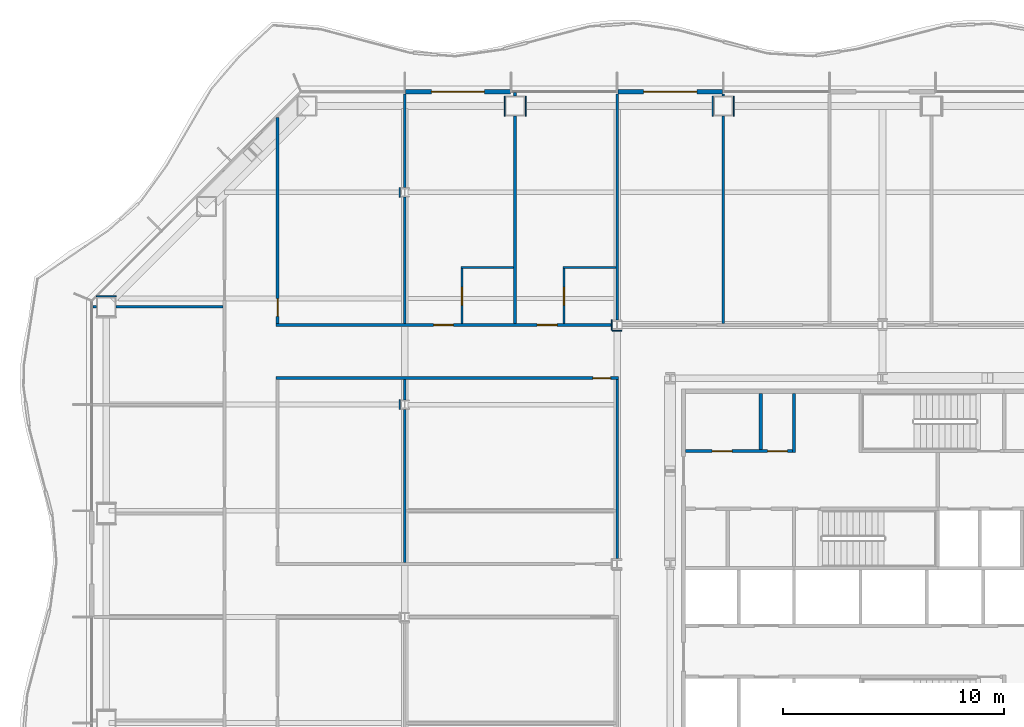
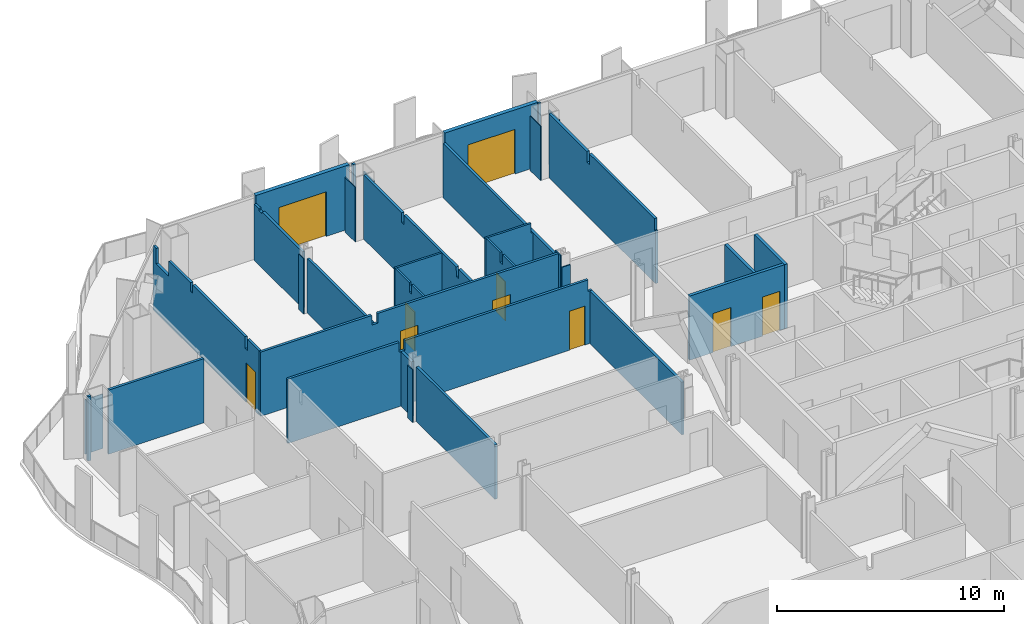
# One storey, part 12 of 21: 33 walls, 10 doors, 10 openings.
"""IFC4 building model written with IfcOpenShell, lengths in metres."""

from ifc_helpers import new_model, si_unit, direction, frame, frame_2d, origin, place, context, subcontext, project, spatial, polyline, rectangle, outline, extrude, material, layer, layer_set, type_object, element, fill, save


model = new_model("IFC4")

# Units and contexts
model_context = context("Model", 3, precision=1e-05, world=origin(), true_north=direction((0.0, 1.0)))
body_context = subcontext(model_context, "Body", "Model", "MODEL_VIEW")
ifc_project = project(units=[si_unit("LENGTHUNIT", "METRE"), si_unit("AREAUNIT", "SQUARE_METRE"), si_unit("VOLUMEUNIT", "CUBIC_METRE"), si_unit("PLANEANGLEUNIT", "RADIAN"), si_unit("MASSUNIT", "GRAM", prefix="KILO")], contexts=[model_context])

# Site, building, storey
site_placement = place(None, origin())
site = spatial("IfcSite", under=ifc_project, at=site_placement, CompositionType="ELEMENT")
building_placement = place(site_placement, origin())
building = spatial("IfcBuilding", under=site, at=building_placement, Name="Cairn Pilgrim Tower", CompositionType="ELEMENT")
storey_placement = place(building_placement, frame((0.0, 0.0, 69.0)))
storey = spatial("IfcBuildingStorey", under=building, at=storey_placement, Name="L15", CompositionType="ELEMENT", Elevation=69.0)

# Wall, opening, door
ifc_material_1 = material(Name="Bronze anodised aluminium insulated sandwich panel with mineral wool fill", Category="aluminium")
ifc_layer_1 = layer(ifc_material_1, 0.199951171875)
ifc_layer_set_1 = layer_set([ifc_layer_1], Name="BRONZE INFILL FRAME WALL 200")
wall_type_1 = type_object("IfcWallType", Name="BRONZE INFILL FRAME WALL 200", PredefinedType="NOTDEFINED", material=ifc_layer_set_1)
wall_1_placement = place(storey_placement, frame((-0.030029296875, 23.75, 0.0), z_axis=(0.0, 0.0, 1.0), x_axis=(-1.0, 0.0, 0.0)))
wall_1 = element("IfcWall", 1, at=wall_1_placement, inside=storey, type_object=wall_type_1, Name="Bronze infill frame wall IW-N5", PredefinedType="NOTDEFINED", context=body_context, shape_type="SweptSolid", body=[
    extrude(rectangle(XDim=4.739990234375, YDim=0.199951171875, at=frame_2d((2.3701171875, 0.0))), origin(), (0.0, 0.0, 1.0), 3.449951171875),
])
opening_1_placement = place(wall_1_placement, frame((1.169921875, 0.0, 0.0)))
opening_1 = element("IfcOpeningElement", 2, at=opening_1_placement, cuts=wall_1, Name="Opening 1518B", PredefinedType="OPENING", context=body_context, shape_type="SweptSolid", body=[
    extrude(rectangle(XDim=2.39990234375, YDim=2.39990234375, at=frame_2d((1.199951171875, 1.199951171875))), frame((0.0, 0.10986328125, 0.0), z_axis=(0.0, -1.0, 0.0), x_axis=(1.0, 0.0, 0.0)), (0.0, 0.0, 1.0), 0.219970703125),
])
ifc_material_2 = material(Name="Bronze anodised aluminium frame with tinted low-E glass", Category="aluminium")
door_type_1 = type_object("IfcDoorType", Name="BALCONY SLIDING DOOR 2400x2400", OperationType="DOUBLE_DOOR_SLIDING", PredefinedType="DOOR", material=ifc_material_2)
door_1_placement = place(opening_1_placement, origin())
door_1 = element("IfcDoor", 3, at=door_1_placement, inside=storey, type_object=door_type_1, Name="Balcony sliding door 1518B", OperationType="SINGLE_SWING_LEFT", OverallHeight=2.39990234375, OverallWidth=2.39990234375, PredefinedType="DOOR", context=body_context, shape_type="SweptSolid", body=[
    extrude(rectangle(XDim=2.39990234375, YDim=2.39990234375, at=frame_2d((1.199951171875, 1.199951171875))), frame((0.0, 0.02490234375, 0.0), z_axis=(0.0, -1.0, 0.0), x_axis=(1.0, 0.0, 0.0)), (0.0, 0.0, 1.0), 0.050048828125),
])
fill(opening_1, door_1)

wall_2_placement = place(storey_placement, frame((-9.6298828125, 23.75, 0.0), z_axis=(0.0, 0.0, 1.0), x_axis=(-1.0, 0.0, 0.0)))
wall_2 = element("IfcWall", 4, at=wall_2_placement, inside=storey, type_object=wall_type_1, Name="Bronze infill frame wall IW-N7", PredefinedType="NOTDEFINED", context=body_context, shape_type="SweptSolid", body=[
    extrude(rectangle(XDim=4.740234375, YDim=0.199951171875, at=frame_2d((2.3701171875, 0.0))), origin(), (0.0, 0.0, 1.0), 3.449951171875),
])
opening_2_placement = place(wall_2_placement, frame((1.169921875, 0.0, 0.0)))
opening_2 = element("IfcOpeningElement", 5, at=opening_2_placement, cuts=wall_2, Name="Opening 1516B", PredefinedType="OPENING", context=body_context, shape_type="SweptSolid", body=[
    extrude(rectangle(XDim=2.39990234375, YDim=2.39990234375, at=frame_2d((1.199951171875, 1.199951171875))), frame((0.0, 0.10986328125, 0.0), z_axis=(0.0, -1.0, 0.0), x_axis=(1.0, 0.0, 0.0)), (0.0, 0.0, 1.0), 0.219970703125),
])
door_2_placement = place(opening_2_placement, origin())
door_2 = element("IfcDoor", 6, at=door_2_placement, inside=storey, type_object=door_type_1, Name="Balcony sliding door 1516B", OperationType="SINGLE_SWING_LEFT", OverallHeight=2.39990234375, OverallWidth=2.39990234375, PredefinedType="DOOR", context=body_context, shape_type="SweptSolid", body=[
    extrude(rectangle(XDim=2.39990234375, YDim=2.39990234375, at=frame_2d((1.199951171875, 1.199951171875))), frame((0.0, 0.02490234375, 0.0), z_axis=(0.0, -1.0, 0.0), x_axis=(1.0, 0.0, 0.0)), (0.0, 0.0, 1.0), 0.050048828125),
])
fill(opening_2, door_2)

# Wall, openings, doors
ifc_material_3 = material(Name="Concrete C32/40", Category="concrete")
ifc_layer_2 = layer(ifc_material_3, 0.14990234375)
ifc_layer_set_2 = layer_set([ifc_layer_2], Name="CORE PARTITION 150 EI 60")
wall_type_2 = type_object("IfcWallType", Name="CORE PARTITION 150 EI 60", PredefinedType="PARTITIONING", material=ifc_layer_set_2)
wall_3_placement = place(storey_placement, frame((-1.699951171875, 7.5, 0.0), z_axis=(0.0, 0.0, 1.0), x_axis=(1.0, 0.0, 0.0)))
wall_3 = element("IfcWall", 7, at=wall_3_placement, inside=storey, type_object=wall_type_2, Name="CW:L15:H09", PredefinedType="PARTITIONING", context=body_context, shape_type="SweptSolid", body=[
    extrude(rectangle(XDim=4.824951171875, YDim=0.14990234375, at=frame_2d((2.41259765625, 0.0))), origin(), (0.0, 0.0, 1.0), 3.449951171875),
])
opening_3_placement = place(wall_3_placement, frame((1.199951171875, 0.0, 0.0)))
opening_3 = element("IfcOpeningElement", 8, at=opening_3_placement, cuts=wall_3, Name="Opening RD-R4W1", PredefinedType="OPENING", context=body_context, shape_type="SweptSolid", body=[
    extrude(rectangle(XDim=0.89990234375, YDim=2.10009765625, at=frame_2d((0.449951171875, 1.050048828125))), frame((0.0, 0.0849609375, 0.0), z_axis=(0.0, -1.0, 0.0), x_axis=(1.0, 0.0, 0.0)), (0.0, 0.0, 1.0), 0.169921875),
])
opening_4_placement = place(wall_3_placement, frame((3.699951171875, 0.0, 0.0)))
opening_4 = element("IfcOpeningElement", 9, at=opening_4_placement, cuts=wall_3, Name="Opening RD-R4W2", PredefinedType="OPENING", context=body_context, shape_type="SweptSolid", body=[
    extrude(rectangle(XDim=0.89990234375, YDim=2.10009765625, at=frame_2d((0.449951171875, 1.050048828125))), frame((0.0, 0.0849609375, 0.0), z_axis=(0.0, -1.0, 0.0), x_axis=(1.0, 0.0, 0.0)), (0.0, 0.0, 1.0), 0.169921875),
])
ifc_material_4 = material(Name="Painted steel", Category="steel")
door_type_2 = type_object("IfcDoorType", Name="SERVICE ROOM DOOR 900x2100", OperationType="SINGLE_SWING_LEFT", PredefinedType="DOOR", material=ifc_material_4)
door_3_placement = place(opening_3_placement, origin())
door_3 = element("IfcDoor", 10, at=door_3_placement, inside=storey, type_object=door_type_2, Name="RD-R4W1", OperationType="SINGLE_SWING_LEFT", OverallHeight=2.10009765625, OverallWidth=0.89990234375, PredefinedType="DOOR", context=body_context, shape_type="SweptSolid", body=[
    extrude(rectangle(XDim=0.89990234375, YDim=2.10009765625, at=frame_2d((0.449951171875, 1.050048828125))), frame((0.0, 0.02490234375, 0.0), z_axis=(0.0, -1.0, 0.0), x_axis=(1.0, 0.0, 0.0)), (0.0, 0.0, 1.0), 0.050048828125),
])
fill(opening_3, door_3)
door_4_placement = place(opening_4_placement, origin())
door_4 = element("IfcDoor", 11, at=door_4_placement, inside=storey, type_object=door_type_2, Name="RD-R4W2", OperationType="SINGLE_SWING_RIGHT", OverallHeight=2.10009765625, OverallWidth=0.89990234375, PredefinedType="DOOR", context=body_context, shape_type="SweptSolid", body=[
    extrude(rectangle(XDim=0.89990234375, YDim=2.10009765625, at=frame_2d((0.449951171875, 1.050048828125))), frame((0.0, 0.02490234375, 0.0), z_axis=(0.0, -1.0, 0.0), x_axis=(1.0, 0.0, 0.0)), (0.0, 0.0, 1.0), 0.050048828125),
])
fill(opening_4, door_4)

# Walls
wall_4_placement = place(storey_placement, frame((1.699951171875, 7.574951171875, 0.0), z_axis=(0.0, 0.0, 1.0), x_axis=(0.0, 1.0, 0.0)))
element("IfcWall", 12, at=wall_4_placement, inside=storey, type_object=wall_type_2, Name="CW:L15:V16", PredefinedType="PARTITIONING", context=body_context, shape_type="SweptSolid", body=[
    extrude(rectangle(XDim=2.525146484375, YDim=0.14990234375, at=frame_2d((1.2626953125, 0.0))), origin(), (0.0, 0.0, 1.0), 3.449951171875),
])
wall_5_placement = place(storey_placement, frame((3.199951171875, 7.425048828125, 0.0), z_axis=(0.0, 0.0, 1.0), x_axis=(0.0, 1.0, 0.0)))
element("IfcWall", 13, at=wall_5_placement, inside=storey, type_object=wall_type_2, Name="CW:L15:V20", PredefinedType="PARTITIONING", context=body_context, shape_type="SweptSolid", body=[
    extrude(rectangle(XDim=2.675048828125, YDim=0.14990234375, at=frame_2d((1.33740234375, 0.0))), origin(), (0.0, 0.0, 1.0), 3.449951171875),
])

# Wall, opening, door
ifc_material_5 = material(Name="Gypsum partition")
ifc_layer_3 = layer(ifc_material_5, 0.10009765625)
ifc_layer_set_3 = layer_set([ifc_layer_3], Name="PARTITION 100 DRYWALL")
wall_type_3 = type_object("IfcWallType", Name="PARTITION 100 DRYWALL", PredefinedType="PARTITIONING", material=ifc_layer_set_3)
wall_6_placement = place(storey_placement, frame((-11.81396484375, 13.262451171875, 0.0), z_axis=(0.0, 0.0, 1.0), x_axis=(0.0, 1.0, 0.0)))
wall_6 = element("IfcWall", 14, at=wall_6_placement, inside=storey, type_object=wall_type_3, Name="PARTITION W068", PredefinedType="PARTITIONING", context=body_context, shape_type="SweptSolid", body=[
    extrude(outline(polyline([(0.0, 0.0), (2.487548828125, 0.0), (2.487548828125, 3.449951171875), (1.237548828125, 3.449951171875), (1.235595703125, 2.929931640625), (1.03759765625, 2.929931640625), (1.035400390625, 3.449951171875), (0.0, 3.449951171875), (0.0, 0.0)])), frame((0.0, 0.050048828125, 0.0), z_axis=(0.0, -1.0, 0.0), x_axis=(1.0, 0.0, 0.0)), (0.0, 0.0, 1.0), 0.10009765625),
])
opening_5_placement = place(wall_6_placement, frame((0.83740234375, 0.0, 0.0)))
opening_5 = element("IfcOpeningElement", 15, at=opening_5_placement, cuts=wall_6, Name="Opening 1516E", PredefinedType="OPENING", context=body_context, shape_type="SweptSolid", body=[
    extrude(rectangle(XDim=0.800048828125, YDim=2.10009765625, at=frame_2d((0.39990234375, 1.050048828125))), frame((0.0, 0.06005859375, 0.0), z_axis=(0.0, -1.0, 0.0), x_axis=(1.0, 0.0, 0.0)), (0.0, 0.0, 1.0), 0.1201171875),
])
ifc_material_6 = material(Name="Timber door leaf", Category="wood")
door_type_3 = type_object("IfcDoorType", Name="DOOR 800x2100", OperationType="NOTDEFINED", PredefinedType="DOOR", material=ifc_material_6)
door_5_placement = place(opening_5_placement, frame((0.800048828125, 0.0, 0.0), z_axis=(0.0, 0.0, 1.0), x_axis=(-1.0, 0.0, 0.0)))
door_5 = element("IfcDoor", 16, at=door_5_placement, inside=storey, type_object=door_type_3, Name="DOOR 1516E", OperationType="SINGLE_SWING_RIGHT", OverallHeight=2.10009765625, OverallWidth=0.800048828125, PredefinedType="DOOR", context=body_context, shape_type="SweptSolid", body=[
    extrude(rectangle(XDim=0.800048828125, YDim=2.10009765625, at=frame_2d((0.39990234375, 1.050048828125))), frame((0.0, 0.02490234375, 0.0), z_axis=(0.0, -1.0, 0.0), x_axis=(1.0, 0.0, 0.0)), (0.0, 0.0, 1.0), 0.050048828125),
])
fill(opening_5, door_5)

wall_7_placement = place(storey_placement, frame((-7.199951171875, 13.262451171875, 0.0), z_axis=(0.0, 0.0, 1.0), x_axis=(0.0, 1.0, 0.0)))
wall_7 = element("IfcWall", 17, at=wall_7_placement, inside=storey, type_object=wall_type_3, Name="PARTITION W070", PredefinedType="PARTITIONING", context=body_context, shape_type="SweptSolid", body=[
    extrude(outline(polyline([(0.0, 0.0), (2.487548828125, 0.0), (2.487548828125, 3.449951171875), (1.237548828125, 3.449951171875), (1.235595703125, 2.929931640625), (1.03759765625, 2.929931640625), (1.035400390625, 3.449951171875), (0.0, 3.449951171875), (0.0, 0.0)])), frame((0.0, 0.050048828125, 0.0), z_axis=(0.0, -1.0, 0.0), x_axis=(1.0, 0.0, 0.0)), (0.0, 0.0, 1.0), 0.10009765625),
])
opening_6_placement = place(wall_7_placement, frame((0.83740234375, 0.0, 0.0)))
opening_6 = element("IfcOpeningElement", 18, at=opening_6_placement, cuts=wall_7, Name="Opening 1517E", PredefinedType="OPENING", context=body_context, shape_type="SweptSolid", body=[
    extrude(rectangle(XDim=0.800048828125, YDim=2.10009765625, at=frame_2d((0.39990234375, 1.050048828125))), frame((0.0, 0.06005859375, 0.0), z_axis=(0.0, -1.0, 0.0), x_axis=(1.0, 0.0, 0.0)), (0.0, 0.0, 1.0), 0.1201171875),
])
door_6_placement = place(opening_6_placement, frame((0.800048828125, 0.0, 0.0), z_axis=(0.0, 0.0, 1.0), x_axis=(-1.0, 0.0, 0.0)))
door_6 = element("IfcDoor", 19, at=door_6_placement, inside=storey, type_object=door_type_3, Name="DOOR 1517E", OperationType="SINGLE_SWING_RIGHT", OverallHeight=2.10009765625, OverallWidth=0.800048828125, PredefinedType="DOOR", context=body_context, shape_type="SweptSolid", body=[
    extrude(rectangle(XDim=0.800048828125, YDim=2.10009765625, at=frame_2d((0.39990234375, 1.050048828125))), frame((0.0, 0.02490234375, 0.0), z_axis=(0.0, -1.0, 0.0), x_axis=(1.0, 0.0, 0.0)), (0.0, 0.0, 1.0), 0.050048828125),
])
fill(opening_6, door_6)

# Walls
wall_8_placement = place(storey_placement, frame((-11.864013671875, 15.800048828125, 0.0), z_axis=(0.0, 0.0, 1.0), x_axis=(1.0, 0.0, 0.0)))
element("IfcWall", 20, at=wall_8_placement, inside=storey, type_object=wall_type_3, Name="PARTITION W079", PredefinedType="PARTITIONING", context=body_context, shape_type="SweptSolid", body=[
    extrude(rectangle(XDim=2.387451171875, YDim=0.10009765625, at=frame_2d((1.19384765625, 0.0))), origin(), (0.0, 0.0, 1.0), 3.449951171875),
])
wall_9_placement = place(storey_placement, frame((-7.25, 15.800048828125, 0.0), z_axis=(0.0, 0.0, 1.0), x_axis=(1.0, 0.0, 0.0)))
element("IfcWall", 21, at=wall_9_placement, inside=storey, type_object=wall_type_3, Name="PARTITION W080", PredefinedType="PARTITIONING", context=body_context, shape_type="SweptSolid", body=[
    extrude(outline(polyline([(0.0, 0.0), (2.387451171875, 0.0), (2.387451171875, 2.929931640625), (2.300048828125, 2.929931640625), (2.298095703125, 3.449951171875), (0.0, 3.449951171875), (0.0, 0.0)])), frame((0.0, 0.050048828125, 0.0), z_axis=(0.0, -1.0, 0.0), x_axis=(1.0, 0.0, 0.0)), (0.0, 0.0, 1.0), 0.10009765625),
])
ifc_layer_4 = layer(ifc_material_5, 0.125)
ifc_layer_set_4 = layer_set([ifc_layer_4], Name="PARTITION 125 DRYWALL EI 60")
wall_type_4 = type_object("IfcWallType", Name="PARTITION 125 DRYWALL EI 60", PredefinedType="PARTITIONING", material=ifc_layer_set_4)
wall_10_placement = place(storey_placement, frame((-14.39990234375, 2.46240234375, 0.0), z_axis=(0.0, 0.0, 1.0), x_axis=(0.0, 1.0, 0.0)))
element("IfcWall", 22, at=wall_10_placement, inside=storey, type_object=wall_type_4, Name="PARTITION W051", PredefinedType="PARTITIONING", context=body_context, shape_type="SweptSolid", body=[
    extrude(rectangle(XDim=6.925048828125, YDim=0.125, at=frame_2d((3.46240234375, 0.0))), origin(), (0.0, 0.0, 1.0), 2.929931640625),
])
wall_11_placement = place(storey_placement, frame((-4.800048828125, 2.636962890625, 0.0), z_axis=(0.0, 0.0, 1.0), x_axis=(0.0, 1.0, 0.0)))
element("IfcWall", 23, at=wall_11_placement, inside=storey, type_object=wall_type_4, Name="PARTITION W052", PredefinedType="PARTITIONING", context=body_context, shape_type="SweptSolid", body=[
    extrude(rectangle(XDim=8.1005859375, YDim=0.125, at=frame_2d((4.05029296875, 0.0))), origin(), (0.0, 0.0, 1.0), 2.830078125),
])
wall_12_placement = place(storey_placement, frame((-14.39990234375, 9.8125, 0.0), z_axis=(0.0, 0.0, 1.0), x_axis=(0.0, 1.0, 0.0)))
element("IfcWall", 24, at=wall_12_placement, inside=storey, type_object=wall_type_4, Name="PARTITION W061", PredefinedType="PARTITIONING", context=body_context, shape_type="SweptSolid", body=[
    extrude(rectangle(XDim=0.925048828125, YDim=0.125, at=frame_2d((0.46240234375, 0.0))), origin(), (0.0, 0.0, 1.0), 2.929931640625),
])

# Wall, opening, door
wall_13_placement = place(storey_placement, frame((-20.21240234375, 10.800048828125, 0.0), z_axis=(0.0, 0.0, 1.0), x_axis=(1.0, 0.0, 0.0)))
wall_13 = element("IfcWall", 25, at=wall_13_placement, inside=storey, type_object=wall_type_4, Name="PARTITION W062", PredefinedType="PARTITIONING", context=body_context, shape_type="SweptSolid", body=[
    extrude(outline(polyline([(0.0, 0.0), (15.474853515625, 0.0), (15.47509765625, 2.830078125), (15.262451171875, 2.830078125), (15.260498046875, 3.449951171875), (5.96240234375, 3.449951171875), (5.96044921875, 2.929931640625), (5.66259765625, 2.929931640625), (5.660400390625, 3.449951171875), (0.0, 3.449951171875), (0.0, 0.0)])), frame((0.0, 0.0625, 0.0), z_axis=(0.0, -1.0, 0.0), x_axis=(1.0, 0.0, 0.0)), (0.0, 0.0, 1.0), 0.125),
])
opening_7_placement = place(wall_13_placement, frame((14.3125, 0.0, 0.0)))
opening_7 = element("IfcOpeningElement", 26, at=opening_7_placement, cuts=wall_13, Name="Opening 1532", PredefinedType="OPENING", context=body_context, shape_type="SweptSolid", body=[
    extrude(rectangle(XDim=0.800048828125, YDim=2.10009765625, at=frame_2d((0.39990234375, 1.050048828125))), frame((0.0, 0.072509765625, 0.0), z_axis=(0.0, -1.0, 0.0), x_axis=(1.0, 0.0, 0.0)), (0.0, 0.0, 1.0), 0.14501953125),
])
ifc_material_7 = material(Name="Steel-faced fire door leaf", Category="steel")
door_type_4 = type_object("IfcDoorType", Name="FIRE DOOR 800x2100 FD30S", OperationType="NOTDEFINED", PredefinedType="DOOR", material=ifc_material_7)
door_7_placement = place(opening_7_placement, frame((0.800048828125, 0.0, 0.0), z_axis=(0.0, 0.0, 1.0), x_axis=(-1.0, 0.0, 0.0)))
door_7 = element("IfcDoor", 27, at=door_7_placement, inside=storey, type_object=door_type_4, Name="DOOR 1532", OperationType="SINGLE_SWING_LEFT", OverallHeight=2.10009765625, OverallWidth=0.800048828125, PredefinedType="DOOR", context=body_context, shape_type="SweptSolid", body=[
    extrude(rectangle(XDim=0.800048828125, YDim=2.10009765625, at=frame_2d((0.39990234375, 1.050048828125))), frame((0.0, 0.02490234375, 0.0), z_axis=(0.0, -1.0, 0.0), x_axis=(1.0, 0.0, 0.0)), (0.0, 0.0, 1.0), 0.050048828125),
])
fill(opening_7, door_7)

# Wall, openings, doors
wall_14_placement = place(storey_placement, frame((-20.21240234375, 13.199951171875, 0.0), z_axis=(0.0, 0.0, 1.0), x_axis=(1.0, 0.0, 0.0)))
wall_14 = element("IfcWall", 28, at=wall_14_placement, inside=storey, type_object=wall_type_4, Name="PARTITION W063", PredefinedType="PARTITIONING", context=body_context, shape_type="SweptSolid", body=[
    extrude(outline(polyline([(0.0, 0.0), (15.200439453125, 0.0), (15.200439453125, 3.449951171875), (5.96240234375, 3.449951171875), (5.96044921875, 2.929931640625), (5.66259765625, 2.929931640625), (5.660400390625, 3.449951171875), (0.0, 3.449951171875), (0.0, 0.0)])), frame((0.0, 0.0625, 0.0), z_axis=(0.0, -1.0, 0.0), x_axis=(1.0, 0.0, 0.0)), (0.0, 0.0, 1.0), 0.125),
])
opening_8_placement = place(wall_14_placement, frame((7.112548828125, 0.0, 0.0)))
opening_8 = element("IfcOpeningElement", 29, at=opening_8_placement, cuts=wall_14, Name="Opening 1516", PredefinedType="OPENING", context=body_context, shape_type="SweptSolid", body=[
    extrude(rectangle(XDim=0.89990234375, YDim=2.10009765625, at=frame_2d((0.449951171875, 1.050048828125))), frame((0.0, 0.072509765625, 0.0), z_axis=(0.0, -1.0, 0.0), x_axis=(1.0, 0.0, 0.0)), (0.0, 0.0, 1.0), 0.14501953125),
])
opening_9_placement = place(wall_14_placement, frame((11.798583984375, 0.0, 0.0)))
opening_9 = element("IfcOpeningElement", 30, at=opening_9_placement, cuts=wall_14, Name="Opening 1517", PredefinedType="OPENING", context=body_context, shape_type="SweptSolid", body=[
    extrude(rectangle(XDim=0.89990234375, YDim=2.10009765625, at=frame_2d((0.449951171875, 1.050048828125))), frame((0.0, 0.072509765625, 0.0), z_axis=(0.0, -1.0, 0.0), x_axis=(1.0, 0.0, 0.0)), (0.0, 0.0, 1.0), 0.14501953125),
])
door_type_5 = type_object("IfcDoorType", Name="FIRE DOOR 900x2100 FD30S", OperationType="NOTDEFINED", PredefinedType="DOOR", material=ifc_material_7)
door_8_placement = place(opening_8_placement, origin())
door_8 = element("IfcDoor", 31, at=door_8_placement, inside=storey, type_object=door_type_5, Name="DOOR 1516", OperationType="SINGLE_SWING_LEFT", OverallHeight=2.10009765625, OverallWidth=0.89990234375, PredefinedType="DOOR", context=body_context, shape_type="SweptSolid", body=[
    extrude(rectangle(XDim=0.89990234375, YDim=2.10009765625, at=frame_2d((0.449951171875, 1.050048828125))), frame((0.0, 0.02490234375, 0.0), z_axis=(0.0, -1.0, 0.0), x_axis=(1.0, 0.0, 0.0)), (0.0, 0.0, 1.0), 0.050048828125),
])
fill(opening_8, door_8)
door_9_placement = place(opening_9_placement, origin())
door_9 = element("IfcDoor", 32, at=door_9_placement, inside=storey, type_object=door_type_5, Name="DOOR 1517", OperationType="SINGLE_SWING_LEFT", OverallHeight=2.10009765625, OverallWidth=0.89990234375, PredefinedType="DOOR", context=body_context, shape_type="SweptSolid", body=[
    extrude(rectangle(XDim=0.89990234375, YDim=2.10009765625, at=frame_2d((0.449951171875, 1.050048828125))), frame((0.0, 0.02490234375, 0.0), z_axis=(0.0, -1.0, 0.0), x_axis=(1.0, 0.0, 0.0)), (0.0, 0.0, 1.0), 0.050048828125),
])
fill(opening_9, door_9)

# Wall, opening, door
wall_15_placement = place(storey_placement, frame((-20.14990234375, 13.262451171875, 0.0), z_axis=(0.0, 0.0, 1.0), x_axis=(0.0, 1.0, 0.0)))
wall_15 = element("IfcWall", 33, at=wall_15_placement, inside=storey, type_object=wall_type_4, Name="PARTITION W066", PredefinedType="PARTITIONING", context=body_context, shape_type="SweptSolid", body=[
    extrude(outline(polyline([(0.0, 0.0), (9.326171875, 0.0), (9.326171875, 3.449951171875), (9.072265625, 3.449951171875), (9.0703125, 2.6298828125), (7.957275390625, 2.6298828125), (7.955078125, 3.449951171875), (6.032470703125, 3.449951171875), (6.030517578125, 2.97998046875), (5.842529296875, 2.97998046875), (5.840576171875, 3.449951171875), (1.24755859375, 3.449951171875), (1.24560546875, 2.830078125), (1.027587890625, 2.830078125), (1.025390625, 3.449951171875), (0.0, 3.449951171875), (0.0, 0.0)])), frame((0.0, 0.0625, 0.0), z_axis=(0.0, -1.0, 0.0), x_axis=(1.0, 0.0, 0.0)), (0.0, 0.0, 1.0), 0.125),
])
opening_10_placement = place(wall_15_placement, frame((0.33349609375, 0.0, 0.0)))
opening_10 = element("IfcOpeningElement", 34, at=opening_10_placement, cuts=wall_15, Name="Opening 1515", PredefinedType="OPENING", context=body_context, shape_type="SweptSolid", body=[
    extrude(rectangle(XDim=0.800048828125, YDim=2.10009765625, at=frame_2d((0.39990234375, 1.050048828125))), frame((0.0, 0.072509765625, 0.0), z_axis=(0.0, -1.0, 0.0), x_axis=(1.0, 0.0, 0.0)), (0.0, 0.0, 1.0), 0.14501953125),
])
door_10_placement = place(opening_10_placement, frame((0.800048828125, 0.0, 0.0), z_axis=(0.0, 0.0, 1.0), x_axis=(-1.0, 0.0, 0.0)))
door_10 = element("IfcDoor", 35, at=door_10_placement, inside=storey, type_object=door_type_4, Name="DOOR 1515", OperationType="SINGLE_SWING_RIGHT", OverallHeight=2.10009765625, OverallWidth=0.800048828125, PredefinedType="DOOR", context=body_context, shape_type="SweptSolid", body=[
    extrude(rectangle(XDim=0.800048828125, YDim=2.10009765625, at=frame_2d((0.39990234375, 1.050048828125))), frame((0.0, 0.02490234375, 0.0), z_axis=(0.0, -1.0, 0.0), x_axis=(1.0, 0.0, 0.0)), (0.0, 0.0, 1.0), 0.050048828125),
])
fill(opening_10, door_10)

# Walls
wall_16_placement = place(storey_placement, frame((-14.39990234375, 13.262451171875, 0.0), z_axis=(0.0, 0.0, 1.0), x_axis=(0.0, 1.0, 0.0)))
element("IfcWall", 36, at=wall_16_placement, inside=storey, type_object=wall_type_4, Name="PARTITION W067", PredefinedType="PARTITIONING", context=body_context, shape_type="SweptSolid", body=[
    extrude(rectangle(XDim=5.72509765625, YDim=0.125, at=frame_2d((2.862548828125, 0.0))), origin(), (0.0, 0.0, 1.0), 2.929931640625),
])
wall_17_placement = place(storey_placement, frame((-9.4140625, 13.262451171875, 0.0), z_axis=(0.0, 0.0, 1.0), x_axis=(0.0, 1.0, 0.0)))
element("IfcWall", 37, at=wall_17_placement, inside=storey, type_object=wall_type_4, Name="PARTITION W069", PredefinedType="PARTITIONING", context=body_context, shape_type="SweptSolid", body=[
    extrude(outline(polyline([(0.0, 0.0), (9.387451171875, 0.0), (9.387451171875, 3.449951171875), (6.03759765625, 3.449951171875), (6.035400390625, 2.929931640625), (5.83740234375, 2.929931640625), (5.83544921875, 3.449951171875), (1.237548828125, 3.449951171875), (1.235595703125, 2.929931640625), (1.03759765625, 2.929931640625), (1.035400390625, 3.449951171875), (0.0, 3.449951171875), (0.0, 0.0)])), frame((0.0, 0.0625, 0.0), z_axis=(0.0, -1.0, 0.0), x_axis=(1.0, 0.0, 0.0)), (0.0, 0.0, 1.0), 0.125),
])
wall_18_placement = place(storey_placement, frame((0.0, 13.262451171875, 0.0), z_axis=(0.0, 0.0, 1.0), x_axis=(0.0, 1.0, 0.0)))
element("IfcWall", 38, at=wall_18_placement, inside=storey, type_object=wall_type_4, Name="PARTITION W071", PredefinedType="PARTITIONING", context=body_context, shape_type="SweptSolid", body=[
    extrude(outline(polyline([(0.0, 0.0), (9.387451171875, 0.0), (9.387451171875, 3.449951171875), (6.04248046875, 3.449951171875), (6.04052734375, 2.8798828125), (5.83251953125, 2.8798828125), (5.83056640625, 3.449951171875), (0.08740234375, 3.449951171875), (0.08544921875, 2.830078125), (0.0, 2.830078125), (0.0, 0.0)])), frame((0.0, 0.0625, 0.0), z_axis=(0.0, -1.0, 0.0), x_axis=(1.0, 0.0, 0.0)), (0.0, 0.0, 1.0), 0.125),
])
wall_19_placement = place(storey_placement, frame((-4.800048828125, 13.43701171875, 0.0), z_axis=(0.0, 0.0, 1.0), x_axis=(0.0, 1.0, 0.0)))
element("IfcWall", 39, at=wall_19_placement, inside=storey, type_object=wall_type_4, Name="PARTITION W075", PredefinedType="PARTITIONING", context=body_context, shape_type="SweptSolid", body=[
    extrude(rectangle(XDim=10.212890625, YDim=0.125, at=frame_2d((5.1064453125, 0.0))), origin(), (0.0, 0.0, 1.0), 2.929931640625),
])
wall_20_placement = place(storey_placement, frame((-28.5029296875, 14.027099609375, 0.0), z_axis=(0.0, 0.0, 1.0), x_axis=(1.0, 0.0, 0.0)))
element("IfcWall", 40, at=wall_20_placement, inside=storey, type_object=wall_type_4, Name="PARTITION W077", PredefinedType="PARTITIONING", context=body_context, shape_type="SweptSolid", body=[
    extrude(rectangle(XDim=0.15283203125, YDim=0.125, at=frame_2d((0.076416015625, 0.0))), origin(), (0.0, 0.0, 1.0), 3.449951171875),
])
wall_21_placement = place(storey_placement, frame((-27.449951171875, 14.027099609375, 0.0), z_axis=(0.0, 0.0, 1.0), x_axis=(1.0, 0.0, 0.0)))
element("IfcWall", 41, at=wall_21_placement, inside=storey, type_object=wall_type_4, Name="PARTITION W078", PredefinedType="PARTITIONING", context=body_context, shape_type="SweptSolid", body=[
    extrude(rectangle(XDim=4.83740234375, YDim=0.125, at=frame_2d((2.418701171875, 0.0))), origin(), (0.0, 0.0, 1.0), 3.449951171875),
])
wall_22_placement = place(storey_placement, frame((-14.39990234375, 19.41259765625, 0.0), z_axis=(0.0, 0.0, 1.0), x_axis=(0.0, 1.0, 0.0)))
element("IfcWall", 42, at=wall_22_placement, inside=storey, type_object=wall_type_4, Name="PARTITION W081", PredefinedType="PARTITIONING", context=body_context, shape_type="SweptSolid", body=[
    extrude(outline(polyline([(0.0, 0.0), (4.2373046875, 0.0), (4.237548828125, 3.030029296875), (3.83740234375, 3.030029296875), (3.83544921875, 2.929931640625), (3.53759765625, 2.929931640625), (3.535400390625, 3.030029296875), (0.0, 3.030029296875), (0.0, 0.0)])), frame((0.0, 0.0625, 0.0), z_axis=(0.0, -1.0, 0.0), x_axis=(1.0, 0.0, 0.0)), (0.0, 0.0, 1.0), 0.125),
])
wall_23_placement = place(storey_placement, frame((-9.4140625, 23.550048828125, 0.0), z_axis=(0.0, 0.0, 1.0), x_axis=(0.0, 1.0, 0.0)))
element("IfcWall", 43, at=wall_23_placement, inside=storey, type_object=wall_type_4, Name="PARTITION W082", PredefinedType="PARTITIONING", context=body_context, shape_type="SweptSolid", body=[
    extrude(rectangle(XDim=0.15283203125, YDim=0.125, at=frame_2d((0.076416015625, 0.0))), origin(), (0.0, 0.0, 1.0), 3.449951171875),
])
wall_24_placement = place(storey_placement, frame((0.0, 23.550048828125, 0.0), z_axis=(0.0, 0.0, 1.0), x_axis=(0.0, 1.0, 0.0)))
element("IfcWall", 44, at=wall_24_placement, inside=storey, type_object=wall_type_4, Name="PARTITION W083", PredefinedType="PARTITIONING", context=body_context, shape_type="SweptSolid", body=[
    extrude(rectangle(XDim=0.099853515625, YDim=0.125, at=frame_2d((0.0498046875, 0.0))), origin(), (0.0, 0.0, 1.0), 3.449951171875),
])
ifc_layer_5 = layer(ifc_material_5, 0.050048828125)
ifc_layer_set_5 = layer_set([ifc_layer_5], Name="PARTITION 50 DRYWALL EI 60")
wall_type_5 = type_object("IfcWallType", Name="PARTITION 50 DRYWALL EI 60", PredefinedType="PARTITIONING", material=ifc_layer_set_5)
wall_25_placement = place(storey_placement, frame((-14.62939453125, 9.387451171875, 0.0), z_axis=(0.0, 0.0, 1.0), x_axis=(0.0, 1.0, 0.0)))
element("IfcWall", 45, at=wall_25_placement, inside=storey, type_object=wall_type_5, Name="COLUMN CASING WC24", PredefinedType="PARTITIONING", context=body_context, shape_type="SweptSolid", body=[
    extrude(rectangle(XDim=0.425048828125, YDim=0.050048828125, at=frame_2d((0.21240234375, 0.0))), origin(), (0.0, 0.0, 1.0), 2.830078125),
])
wall_26_placement = place(storey_placement, frame((-5.011962890625, 12.93798828125, 0.0), z_axis=(0.0, 0.0, 1.0), x_axis=(1.0, 0.0, 0.0)))
element("IfcWall", 46, at=wall_26_placement, inside=storey, type_object=wall_type_5, Name="COLUMN CASING WC30", PredefinedType="PARTITIONING", context=body_context, shape_type="SweptSolid", body=[
    extrude(rectangle(XDim=0.424072265625, YDim=0.050048828125, at=frame_2d((0.2119140625, 0.0))), origin(), (0.0, 0.0, 1.0), 2.830078125),
])
wall_27_placement = place(storey_placement, frame((-14.62939453125, 18.987548828125, 0.0), z_axis=(0.0, 0.0, 1.0), x_axis=(0.0, 1.0, 0.0)))
element("IfcWall", 47, at=wall_27_placement, inside=storey, type_object=wall_type_5, Name="COLUMN CASING WC34", PredefinedType="PARTITIONING", context=body_context, shape_type="SweptSolid", body=[
    extrude(rectangle(XDim=0.425048828125, YDim=0.050048828125, at=frame_2d((0.21240234375, 0.0))), origin(), (0.0, 0.0, 1.0), 2.97998046875),
])
for number, where, z_axis, x_axis, name in (
    (48, (-9.888671875, 22.64990234375, 0.0), (0.0, 0.0, 1.0), (0.0, 1.0, 0.0), "COLUMN CASING WC35"),
    (49, (-8.938720703125, 22.64990234375, 0.0), (0.0, 0.0, 1.0), (0.0, 1.0, 0.0), "COLUMN CASING WC36"),
):
    element("IfcWall", number, at=place(storey_placement, frame(where, z_axis=z_axis, x_axis=x_axis)), inside=storey, type_object=wall_type_5, Name=name, PredefinedType="PARTITIONING", context=body_context, shape_type="SweptSolid", body=[
        extrude(rectangle(XDim=0.900146484375, YDim=0.050048828125, at=frame_2d((0.4501953125, 0.0))), origin(), (0.0, 0.0, 1.0), 2.929931640625),
    ])
wall_28_placement = place(storey_placement, frame((-5.037109375, 12.962890625, 0.0), z_axis=(0.0, 0.0, 1.0), x_axis=(0.0, 1.0, 0.0)))
element("IfcWall", 50, at=wall_28_placement, inside=storey, type_object=wall_type_5, Name="COLUMN CASING WC37", PredefinedType="PARTITIONING", context=body_context, shape_type="SweptSolid", body=[
    extrude(rectangle(XDim=0.47412109375, YDim=0.050048828125, at=frame_2d((0.237060546875, 0.0))), origin(), (0.0, 0.0, 1.0), 3.449951171875),
])
for number, where, z_axis, x_axis, name in (
    (51, (-0.47509765625, 22.64990234375, 0.0), (0.0, 0.0, 1.0), (0.0, 1.0, 0.0), "COLUMN CASING WC38"),
    (52, (0.47509765625, 22.64990234375, 0.0), (0.0, 0.0, 1.0), (0.0, 1.0, 0.0), "COLUMN CASING WC39"),
    (53, (-28.35009765625, 14.502197265625, 0.0), (0.0, 0.0, 1.0), (1.0, 0.0, 0.0), "COLUMN CASING WC42"),
):
    element("IfcWall", number, at=place(storey_placement, frame(where, z_axis=z_axis, x_axis=x_axis)), inside=storey, type_object=wall_type_5, Name=name, PredefinedType="PARTITIONING", context=body_context, shape_type="SweptSolid", body=[
        extrude(rectangle(XDim=0.900146484375, YDim=0.050048828125, at=frame_2d((0.4501953125, 0.0))), origin(), (0.0, 0.0, 1.0), 2.929931640625),
    ])

save(model, "model.ifc")
